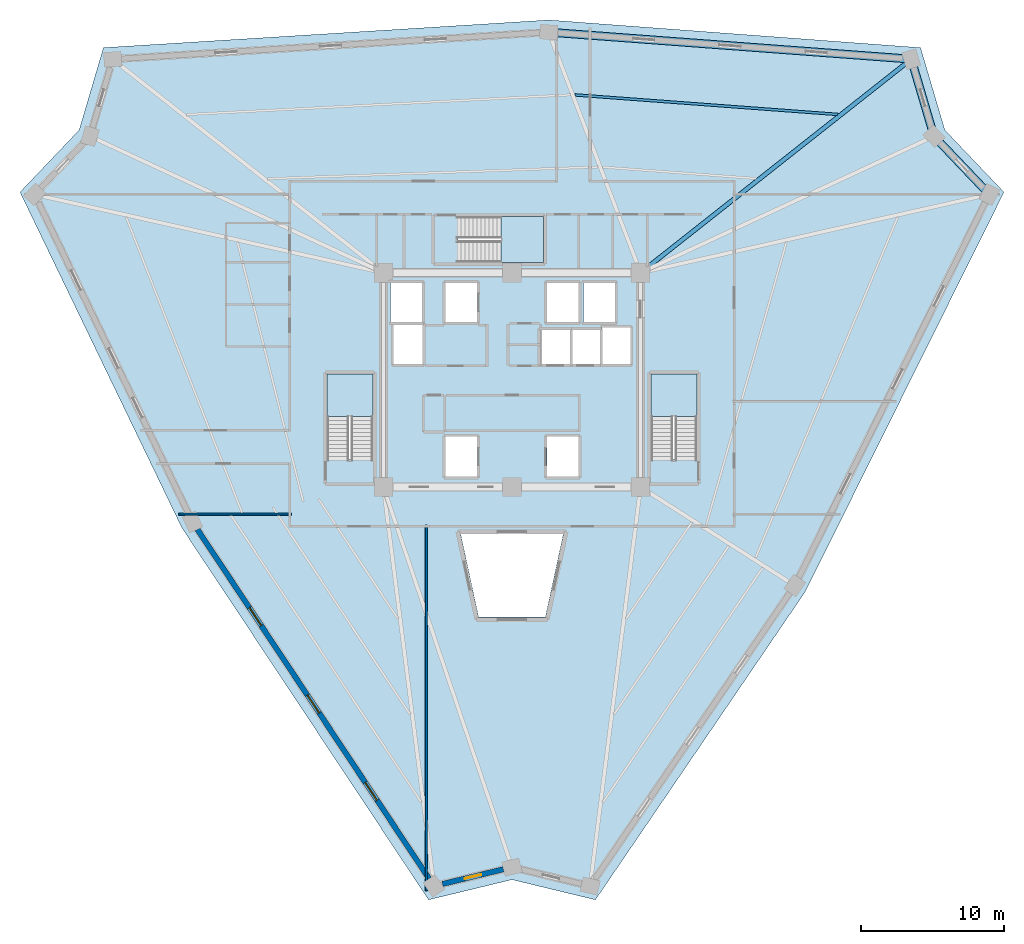
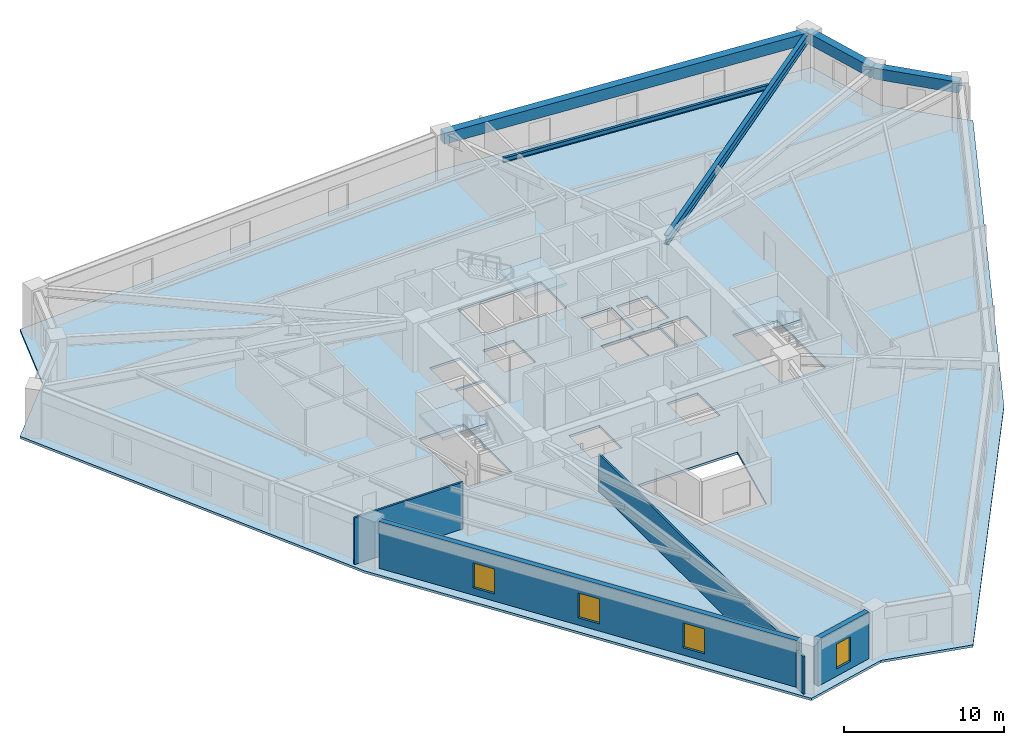
# One storey, part 2 of 8: 5 beams, 4 slabs, 4 walls, 4 windows, 4 openings, 3 elements without a shape of their own.
"""IFC4 building model written with IfcOpenShell, lengths in metres."""

from ifc_helpers import new_model, si_unit, direction, frame, frame_2d, origin, origin_2d, place, context, subcontext, project, spatial, polyline, rectangle, i_section, outline, extrude, source, transform, mapped, material, layer, layer_set, material_profile, profile_set, type_object, element, fill, aggregate, save


model = new_model("IFC4")

# Units and contexts
model_context = context("Model", 3, precision=1e-05, world=origin(), true_north=direction((0.0, 1.0)))
body_context = subcontext(model_context, "Body", "Model", "MODEL_VIEW")
ifc_project = project(units=[si_unit("LENGTHUNIT", "METRE"), si_unit("AREAUNIT", "SQUARE_METRE"), si_unit("VOLUMEUNIT", "CUBIC_METRE"), si_unit("PLANEANGLEUNIT", "RADIAN"), si_unit("MASSUNIT", "GRAM", prefix="KILO")], contexts=[model_context])

# Site, building, storey
site_placement = place(None, origin())
site = spatial("IfcSite", under=ifc_project, at=site_placement, CompositionType="ELEMENT")
building_placement = place(site_placement, origin())
building = spatial("IfcBuilding", under=site, at=building_placement, Name="Liaohun Quay Tower", CompositionType="ELEMENT")
storey_placement = place(building_placement, frame((0.0, 0.0, 213.0)))
storey = spatial("IfcBuildingStorey", under=building, at=storey_placement, Name="L55", CompositionType="ELEMENT", Elevation=213.0)

# Beams
ifc_material_1 = material(Name="Steel Q355D", Category="steel")
ifc_material_profile_1 = material_profile(ifc_material_1, i_section(OverallWidth=0.300048828125, OverallDepth=0.699951171875, WebThickness=0.012939453125, FlangeThickness=0.02392578125, at=origin_2d()), Name="HN700x300x13x24")
ifc_profile_set_1 = profile_set([ifc_material_profile_1], Name="Steel Q355D")
beam_type_1 = type_object("IfcBeamType", Name="BM-RAD-U1", PredefinedType="BEAM", material=ifc_profile_set_1)
shared_shape_1 = source(origin(), body_context, "Body", "SweptSolid", [
    extrude(i_section(OverallWidth=0.300048828125, OverallDepth=0.699951171875, WebThickness=0.012939453125, FlangeThickness=0.02392578125, at=origin_2d()), origin(), (0.0, 0.0, 1.0), 24.138427734375),
])
beam_1_placement = place(storey_placement, frame((69.0, 61.5, 3.219970703125), z_axis=(0.785055677777, 0.619425203547, 0.0), x_axis=(-0.619425203547, 0.785055677777, 0.0)))
element("IfcBeam", 1, at=beam_1_placement, inside=storey, type_object=beam_type_1, Name="L55 Radial Primary Girder CC4-PC07", PredefinedType="BEAM", context=body_context, shape_type="MappedRepresentation", body=[
    mapped(shared_shape_1, transform((0.0, 0.0, 0.0), x_axis=(1.0, 0.0, 0.0), y_axis=(0.0, 1.0, 0.0), z_axis=(0.0, 0.0, 1.0), scale=1.0)),
])
ifc_material_profile_2 = material_profile(ifc_material_1, i_section(OverallWidth=0.175048828125, OverallDepth=0.35009765625, WebThickness=0.007080078125, FlangeThickness=0.010986328125, at=origin_2d()), Name="HN350x175x7x11")
ifc_profile_set_2 = profile_set([ifc_material_profile_2], Name="Steel Q355D")
beam_type_2 = type_object("IfcBeamType", Name="BM-SEC-J3", PredefinedType="JOIST", material=ifc_profile_set_2)
shared_shape_2 = source(origin(), body_context, "Body", "SweptSolid", [
    extrude(i_section(OverallWidth=0.175048828125, OverallDepth=0.35009765625, WebThickness=0.007080078125, FlangeThickness=0.010986328125, at=origin_2d()), origin(), (0.0, 0.0, 1.0), 18.44677734375),
])
beam_2_placement = place(storey_placement, frame((64.406005859375, 73.948974609375, 3.39501953125), z_axis=(0.99724673346, -0.074154922994, 0.0), x_axis=(0.074154922994, 0.99724673346, 0.0)))
element("IfcBeam", 2, at=beam_2_placement, inside=storey, type_object=beam_type_2, Name="L55 Wing Secondary Floor Joist SJ-09", PredefinedType="JOIST", context=body_context, shape_type="MappedRepresentation", body=[
    mapped(shared_shape_2, transform((0.0, 0.0, 0.0), x_axis=(1.0, 0.0, 0.0), y_axis=(0.0, 1.0, 0.0), z_axis=(0.0, 0.0, 1.0), scale=1.0)),
])
ifc_material_2 = material(Name="Precast concrete C50", Category="concrete")
ifc_material_profile_3 = material_profile(ifc_material_2, rectangle(XDim=0.550048828125, YDim=0.85009765625, at=origin_2d()), Name="RC550x850")
ifc_profile_set_3 = profile_set([ifc_material_profile_3], Name="Precast concrete C50")
beam_type_3 = type_object("IfcBeamType", Name="BM-SPD-Z3", PredefinedType="SPANDREL", material=ifc_profile_set_3)
shared_shape_3 = source(origin(), body_context, "Body", "SweptSolid", [
    extrude(rectangle(XDim=0.550048828125, YDim=0.85009765625, at=origin_2d()), origin(), (0.0, 0.0, 1.0), 25.450927734375),
])
beam_3_placement = place(storey_placement, frame((62.569091796875, 78.340087890625, 3.14501953125), z_axis=(0.997244200205, -0.074188982728, 0.0), x_axis=(0.074188982728, 0.997244200205, 0.0)))
element("IfcBeam", 3, at=beam_3_placement, inside=storey, type_object=beam_type_3, Name="L55 Precast Spandrel Beam PC06-PC07", PredefinedType="SPANDREL", context=body_context, shape_type="MappedRepresentation", body=[
    mapped(shared_shape_3, transform((0.0, 0.0, 0.0), x_axis=(1.0, 0.0, 0.0), y_axis=(0.0, 1.0, 0.0), z_axis=(0.0, 0.0, 1.0), scale=1.0)),
])
shared_shape_4 = source(origin(), body_context, "Body", "SweptSolid", [
    extrude(rectangle(XDim=0.550048828125, YDim=0.85009765625, at=origin_2d()), origin(), (0.0, 0.0, 1.0), 5.626708984375),
])
beam_4_placement = place(storey_placement, frame((87.949951171875, 76.451904296875, 3.14501953125), z_axis=(0.282774698991, -0.959186358124, 0.0), x_axis=(0.959186358124, 0.282774698991, 0.0)))
element("IfcBeam", 4, at=beam_4_placement, inside=storey, type_object=beam_type_3, Name="L55 Precast Spandrel Beam PC07-PC08", PredefinedType="SPANDREL", context=body_context, shape_type="MappedRepresentation", body=[
    mapped(shared_shape_4, transform((0.0, 0.0, 0.0), x_axis=(1.0, 0.0, 0.0), y_axis=(0.0, 1.0, 0.0), z_axis=(0.0, 0.0, 1.0), scale=1.0)),
])
shared_shape_5 = source(origin(), body_context, "Body", "SweptSolid", [
    extrude(rectangle(XDim=0.550048828125, YDim=0.85009765625, at=origin_2d()), origin(), (0.0, 0.0, 1.0), 5.6181640625),
])
beam_5_placement = place(storey_placement, frame((89.541015625, 71.054931640625, 3.14501953125), z_axis=(0.689377337455, -0.724402434151, 0.0), x_axis=(0.724402434151, 0.689377337455, 0.0)))
element("IfcBeam", 5, at=beam_5_placement, inside=storey, type_object=beam_type_3, Name="L55 Precast Spandrel Beam PC08-PC09", PredefinedType="SPANDREL", context=body_context, shape_type="MappedRepresentation", body=[
    mapped(shared_shape_5, transform((0.0, 0.0, 0.0), x_axis=(1.0, 0.0, 0.0), y_axis=(0.0, 1.0, 0.0), z_axis=(0.0, 0.0, 1.0), scale=1.0)),
])

# Stair, slab
ifc_material_3 = material(Name="Concrete C45", Category="concrete")
stair_type = type_object("IfcStairType", Name="STR-CORE-OFF", PredefinedType="HALF_TURN_STAIR", material=ifc_material_3)
stair_1_placement = place(storey_placement, origin())
stair_1 = element("IfcStair", 6, at=stair_1_placement, inside=storey, type_object=stair_type, Name="L55 Smokeproof Core Exit Stair ST-1", PredefinedType="HALF_TURN_STAIR")
ifc_layer_1 = layer(ifc_material_3, 0.199951171875, Name="Concrete C45", Category="concrete")
ifc_layer_set_1 = layer_set([ifc_layer_1], Name="Concrete C45")
slab_type_1 = type_object("IfcSlabType", Name="SLB-LND-200", PredefinedType="LANDING", material=ifc_layer_set_1)
slab_1_placement = place(storey_placement, frame((0.0, 0.0, 1.675048828125)))
slab_1 = element("IfcSlab", 7, at=slab_1_placement, type_object=slab_type_1, Name="ST-1 landing 1", PredefinedType="LANDING", context=body_context, shape_type="SweptSolid", body=[
    extrude(outline(polyline([(50.280029296875, 51.429931640625), (50.280029296875, 54.419921875), (47.0400390625, 54.419921875), (47.0400390625, 51.429931640625), (50.280029296875, 51.429931640625)])), origin(), (0.0, 0.0, 1.0), 0.199951171875),
])
aggregate(stair_1, [slab_1])

stair_2_placement = place(storey_placement, origin())
stair_2 = element("IfcStair", 8, at=stair_2_placement, inside=storey, type_object=stair_type, Name="L55 Smokeproof Core Exit Stair ST-2", PredefinedType="HALF_TURN_STAIR")
slab_2_placement = place(storey_placement, frame((0.0, 0.0, 1.675048828125)))
slab_2 = element("IfcSlab", 9, at=slab_2_placement, type_object=slab_type_1, Name="ST-2 landing 1", PredefinedType="LANDING", context=body_context, shape_type="SweptSolid", body=[
    extrude(outline(polyline([(72.9599609375, 51.429931640625), (72.9599609375, 54.419921875), (69.719970703125, 54.419921875), (69.719970703125, 51.429931640625), (72.9599609375, 51.429931640625)])), origin(), (0.0, 0.0, 1.0), 0.199951171875),
])
aggregate(stair_2, [slab_2])

stair_3_placement = place(storey_placement, origin())
stair_3 = element("IfcStair", 10, at=stair_3_placement, inside=storey, type_object=stair_type, Name="L55 Smokeproof Core Exit Stair ST-3", PredefinedType="HALF_TURN_STAIR")
slab_3_placement = place(storey_placement, frame((0.0, 0.0, 1.675048828125)))
slab_3 = element("IfcSlab", 11, at=slab_3_placement, type_object=slab_type_1, Name="ST-3 landing 1", PredefinedType="LANDING", context=body_context, shape_type="SweptSolid", body=[
    extrude(outline(polyline([(59.22998046875, 62.199951171875), (62.219970703125, 62.199951171875), (62.219970703125, 65.43994140625), (59.22998046875, 65.43994140625), (59.22998046875, 62.199951171875)])), origin(), (0.0, 0.0, 1.0), 0.199951171875),
])
aggregate(stair_3, [slab_3])

# Slab
ifc_layer_2 = layer(ifc_material_3, 0.179931640625, Name="Concrete C45", Category="concrete")
ifc_layer_set_2 = layer_set([ifc_layer_2], Name="Concrete C45")
slab_type_2 = type_object("IfcSlabType", Name="SLB-OFF-180", PredefinedType="FLOOR", material=ifc_layer_set_2)
slab_4_placement = place(storey_placement, frame((0.0, 0.0, -0.179931640625)))
element("IfcSlab", 12, at=slab_4_placement, inside=storey, type_object=slab_type_2, Name="L55 Structural Floor Slab", PredefinedType="FLOOR", context=body_context, shape_type="SweptSolid", body=[
    extrude(outline(polyline([(54.158935546875, 17.60400390625), (60.0, 19.014892578125), (65.841064453125, 17.60400390625), (80.530029296875, 39.175048828125), (94.43994140625, 67.139892578125), (90.298095703125, 71.491943359375), (88.59912109375, 77.256103515625), (62.573974609375, 79.19189453125), (31.40087890625, 77.256103515625), (29.701904296875, 71.491943359375), (25.56005859375, 67.139892578125), (36.89599609375, 43.633056640625), (54.158935546875, 17.60400390625)]), holes=[polyline([(63.591064453125, 43.199951171875), (56.408935546875, 43.199951171875), (57.666015625, 37.385986328125), (62.333984375, 37.385986328125), (63.591064453125, 43.199951171875)]), polyline([(57.56005859375, 47.2099609375), (57.56005859375, 50.030029296875), (55.340087890625, 50.030029296875), (55.340087890625, 47.2099609375), (57.56005859375, 47.2099609375)]), polyline([(50.280029296875, 54.419921875), (47.0400390625, 54.419921875), (47.0400390625, 48.409912109375), (50.280029296875, 48.409912109375), (50.280029296875, 54.419921875)]), polyline([(53.760009765625, 55.090087890625), (53.760009765625, 57.909912109375), (51.7099609375, 57.909912109375), (51.7099609375, 55.090087890625), (53.760009765625, 55.090087890625)]), polyline([(53.7099609375, 58.0400390625), (53.7099609375, 60.7900390625), (51.489990234375, 60.7900390625), (51.489990234375, 58.0400390625), (53.7099609375, 58.0400390625)]), polyline([(57.56005859375, 58.0400390625), (57.56005859375, 60.7900390625), (55.340087890625, 60.7900390625), (55.340087890625, 58.0400390625), (57.56005859375, 58.0400390625)]), polyline([(62.219970703125, 62.199951171875), (62.219970703125, 65.43994140625), (56.2099609375, 65.43994140625), (56.2099609375, 62.199951171875), (62.219970703125, 62.199951171875)]), polyline([(64.659912109375, 50.030029296875), (62.43994140625, 50.030029296875), (62.43994140625, 47.2099609375), (64.659912109375, 47.2099609375), (64.659912109375, 50.030029296875)]), polyline([(72.9599609375, 54.419921875), (69.719970703125, 54.419921875), (69.719970703125, 48.409912109375), (72.9599609375, 48.409912109375), (72.9599609375, 54.419921875)]), polyline([(64.06005859375, 55.090087890625), (64.06005859375, 57.510009765625), (61.989990234375, 57.510009765625), (61.989990234375, 55.090087890625), (64.06005859375, 55.090087890625)]), polyline([(66.159912109375, 55.090087890625), (66.159912109375, 57.510009765625), (64.090087890625, 57.510009765625), (64.090087890625, 55.090087890625), (66.159912109375, 55.090087890625)]), polyline([(68.2900390625, 55.090087890625), (68.2900390625, 57.659912109375), (66.2900390625, 57.659912109375), (66.2900390625, 55.090087890625), (68.2900390625, 55.090087890625)]), polyline([(64.659912109375, 58.0400390625), (64.659912109375, 60.7900390625), (62.43994140625, 60.7900390625), (62.43994140625, 58.0400390625), (64.659912109375, 58.0400390625)]), polyline([(67.2099609375, 58.0400390625), (67.2099609375, 60.7900390625), (64.989990234375, 60.7900390625), (64.989990234375, 58.0400390625), (67.2099609375, 58.0400390625)])]), origin(), (0.0, 0.0, 1.0), 0.179931640625),
])

# Wall, openings, windows
ifc_material_4 = material(Name="Precast concrete C50 insulated sandwich", Category="concrete")
ifc_layer_3 = layer(ifc_material_4, 0.3798828125, Name="Precast concrete C50 insulated sandwich", Category="concrete")
ifc_layer_set_3 = layer_set([ifc_layer_3], Name="Precast concrete C50 insulated sandwich")
wall_type_1 = type_object("IfcWallType", Name="WAL-EXT-Z34", PredefinedType="SOLIDWALL", material=ifc_layer_set_3)
wall_1_placement = place(storey_placement, frame((37.97607421875, 43.541015625, 0.0), z_axis=(0.0, 0.0, 1.0), x_axis=(0.552730970618, -0.833359750719, 0.0)))
wall_1 = element("IfcWall", 13, at=wall_1_placement, inside=storey, type_object=wall_type_1, Name="L55 Brutalist Precast Pier Wall 11", PredefinedType="SOLIDWALL", context=body_context, shape_type="SweptSolid", body=[
    extrude(rectangle(XDim=29.3486328125, YDim=0.3798828125, at=frame_2d((14.67431640625, 0.0))), origin(), (0.0, 0.0, 1.0), 3.570068359375),
])
shared_shape_6 = source(origin(), body_context, "Body", "SweptSolid", [
    extrude(rectangle(XDim=1.5, YDim=1.89990234375, at=frame_2d((0.75, 0.949951171875))), frame((0.0, 0.199951171875, 0.0), z_axis=(0.0, -1.0, 0.0), x_axis=(1.0, 0.0, 0.0)), (0.0, 0.0, 1.0), 0.39990234375),
])
opening_1_placement = place(wall_1_placement, frame((6.5869140625, 0.0, 0.550048828125)))
opening_1 = element("IfcOpeningElement", 14, at=opening_1_placement, cuts=wall_1, Name="Opening W03", PredefinedType="OPENING", context=body_context, shape_type="MappedRepresentation", body=[
    mapped(shared_shape_6, transform((0.0, 0.0, 0.0), x_axis=(1.0, 0.0, 0.0), y_axis=(0.0, 1.0, 0.0), z_axis=(0.0, 0.0, 1.0), scale=1.0)),
])
opening_2_placement = place(wall_1_placement, frame((13.924072265625, 0.0, 0.550048828125)))
opening_2 = element("IfcOpeningElement", 15, at=opening_2_placement, cuts=wall_1, Name="Opening W03", PredefinedType="OPENING", context=body_context, shape_type="MappedRepresentation", body=[
    mapped(shared_shape_6, transform((0.0, 0.0, 0.0), x_axis=(1.0, 0.0, 0.0), y_axis=(0.0, 1.0, 0.0), z_axis=(0.0, 0.0, 1.0), scale=1.0)),
])
opening_3_placement = place(wall_1_placement, frame((21.261962890625, 0.0, 0.550048828125)))
opening_3 = element("IfcOpeningElement", 16, at=opening_3_placement, cuts=wall_1, Name="Opening W03", PredefinedType="OPENING", context=body_context, shape_type="MappedRepresentation", body=[
    mapped(shared_shape_6, transform((0.0, 0.0, 0.0), x_axis=(1.0, 0.0, 0.0), y_axis=(0.0, 1.0, 0.0), z_axis=(0.0, 0.0, 1.0), scale=1.0)),
])
ifc_material_5 = material(Name="Triple Low-E argon glazing in thermally broken aluminium", Category="aluminium")
window_type_1 = type_object("IfcWindowType", Name="WIN-PUN-Z3", PartitioningType="DOUBLE_PANEL_VERTICAL", PredefinedType="WINDOW", material=ifc_material_5)
shared_shape_7 = source(origin(), body_context, "Body", "SweptSolid", [
    extrude(rectangle(XDim=1.5, YDim=1.89990234375, at=frame_2d((0.75, 0.949951171875))), frame((0.0, 0.030029296875, 0.0), z_axis=(0.0, -1.0, 0.0), x_axis=(1.0, 0.0, 0.0)), (0.0, 0.0, 1.0), 0.06005859375),
])
window_1_placement = place(opening_1_placement, origin())
window_1 = element("IfcWindow", 17, at=window_1_placement, inside=storey, type_object=window_type_1, Name="L55 Recessed Cold-Climate Punched Window 11-1", OverallHeight=1.89990234375, OverallWidth=1.5, PartitioningType="DOUBLE_PANEL_VERTICAL", PredefinedType="WINDOW", context=body_context, shape_type="MappedRepresentation", body=[
    mapped(shared_shape_7, transform((0.0, 0.0, 0.0), x_axis=(1.0, 0.0, 0.0), y_axis=(0.0, 1.0, 0.0), z_axis=(0.0, 0.0, 1.0), scale=1.0)),
])
fill(opening_1, window_1)
window_2_placement = place(opening_2_placement, origin())
window_2 = element("IfcWindow", 18, at=window_2_placement, inside=storey, type_object=window_type_1, Name="L55 Recessed Cold-Climate Punched Window 11-2", OverallHeight=1.89990234375, OverallWidth=1.5, PartitioningType="DOUBLE_PANEL_VERTICAL", PredefinedType="WINDOW", context=body_context, shape_type="MappedRepresentation", body=[
    mapped(shared_shape_7, transform((0.0, 0.0, 0.0), x_axis=(1.0, 0.0, 0.0), y_axis=(0.0, 1.0, 0.0), z_axis=(0.0, 0.0, 1.0), scale=1.0)),
])
fill(opening_2, window_2)
window_3_placement = place(opening_3_placement, origin())
window_3 = element("IfcWindow", 19, at=window_3_placement, inside=storey, type_object=window_type_1, Name="L55 Recessed Cold-Climate Punched Window 11-3", OverallHeight=1.89990234375, OverallWidth=1.5, PartitioningType="DOUBLE_PANEL_VERTICAL", PredefinedType="WINDOW", context=body_context, shape_type="MappedRepresentation", body=[
    mapped(shared_shape_7, transform((0.0, 0.0, 0.0), x_axis=(1.0, 0.0, 0.0), y_axis=(0.0, 1.0, 0.0), z_axis=(0.0, 0.0, 1.0), scale=1.0)),
])
fill(opening_3, window_3)

# Wall, opening, window
wall_2_placement = place(storey_placement, frame((55.135986328125, 18.714111328125, 0.0), z_axis=(0.0, 0.0, 1.0), x_axis=(0.972016981831, 0.234910593698, 0.0)))
wall_2 = element("IfcWall", 20, at=wall_2_placement, inside=storey, type_object=wall_type_1, Name="L55 Brutalist Precast Pier Wall 12", PredefinedType="SOLIDWALL", context=body_context, shape_type="SweptSolid", body=[
    extrude(rectangle(XDim=4.388916015625, YDim=0.3798828125, at=frame_2d((2.1943359375, 0.0))), origin(), (0.0, 0.0, 1.0), 3.570068359375),
])
shared_shape_8 = source(origin(), body_context, "Body", "SweptSolid", [
    extrude(rectangle(XDim=1.199951171875, YDim=1.89990234375, at=frame_2d((0.60009765625, 0.949951171875))), frame((0.0, 0.199951171875, 0.0), z_axis=(0.0, -1.0, 0.0), x_axis=(1.0, 0.0, 0.0)), (0.0, 0.0, 1.0), 0.39990234375),
])
opening_4_placement = place(wall_2_placement, frame((1.593994140625, 0.0, 0.550048828125)))
opening_4 = element("IfcOpeningElement", 21, at=opening_4_placement, cuts=wall_2, Name="Opening W05", PredefinedType="OPENING", context=body_context, shape_type="MappedRepresentation", body=[
    mapped(shared_shape_8, transform((0.0, 0.0, 0.0), x_axis=(1.0, 0.0, 0.0), y_axis=(0.0, 1.0, 0.0), z_axis=(0.0, 0.0, 1.0), scale=1.0)),
])
ifc_material_6 = material(Name="Triple Low-E corner notch glazing", Category="glass")
window_type_2 = type_object("IfcWindowType", Name="WIN-NOTCH", PartitioningType="SINGLE_PANEL", PredefinedType="WINDOW", material=ifc_material_6)
shared_shape_9 = source(origin(), body_context, "Body", "SweptSolid", [
    extrude(rectangle(XDim=1.199951171875, YDim=1.89990234375, at=frame_2d((0.60009765625, 0.949951171875))), frame((0.0, 0.030029296875, 0.0), z_axis=(0.0, -1.0, 0.0), x_axis=(1.0, 0.0, 0.0)), (0.0, 0.0, 1.0), 0.06005859375),
])
window_4_placement = place(opening_4_placement, origin())
window_4 = element("IfcWindow", 22, at=window_4_placement, inside=storey, type_object=window_type_2, Name="L55 Corner Notch Window W05-12", OverallHeight=1.89990234375, OverallWidth=1.199951171875, PartitioningType="SINGLE_PANEL", PredefinedType="WINDOW", context=body_context, shape_type="MappedRepresentation", body=[
    mapped(shared_shape_9, transform((0.0, 0.0, 0.0), x_axis=(1.0, 0.0, 0.0), y_axis=(0.0, 1.0, 0.0), z_axis=(0.0, 0.0, 1.0), scale=1.0)),
])
fill(opening_4, window_4)

# Walls
ifc_material_7 = material(Name="Gypsum board on twin steel studs", Category="steel")
ifc_layer_4 = layer(ifc_material_7, 0.139892578125, Name="Gypsum board on twin steel studs", Category="steel")
ifc_layer_set_4 = layer_set([ifc_layer_4], Name="Gypsum board on twin steel studs")
wall_type_2 = type_object("IfcWallType", Name="WAL-PRT-OFF", PredefinedType="PARTITIONING", material=ifc_layer_set_4)
wall_3_placement = place(storey_placement, frame((44.5400390625, 44.60009765625, 0.0), z_axis=(0.0, 0.0, 1.0), x_axis=(-1.0, 0.0, 0.0)))
element("IfcWall", 23, at=wall_3_placement, inside=storey, type_object=wall_type_2, Name="L55 Interior Partition Wall 049", PredefinedType="PARTITIONING", context=body_context, shape_type="SweptSolid", body=[
    extrude(rectangle(XDim=7.865966796875, YDim=0.139892578125, at=frame_2d((3.93310546875, 0.0))), origin(), (0.0, 0.0, 1.0), 3.570068359375),
])
wall_4_placement = place(storey_placement, frame((54.0, 43.840087890625, 0.0), z_axis=(0.0, 0.0, 1.0), x_axis=(0.0, -1.0, 0.0)))
element("IfcWall", 24, at=wall_4_placement, inside=storey, type_object=wall_type_2, Name="L55 Interior Partition Wall 054", PredefinedType="PARTITIONING", context=body_context, shape_type="SweptSolid", body=[
    extrude(rectangle(XDim=25.59814453125, YDim=0.139892578125, at=frame_2d((12.799072265625, 0.0))), origin(), (0.0, 0.0, 1.0), 2.85498046875),
])

save(model, "model.ifc")
